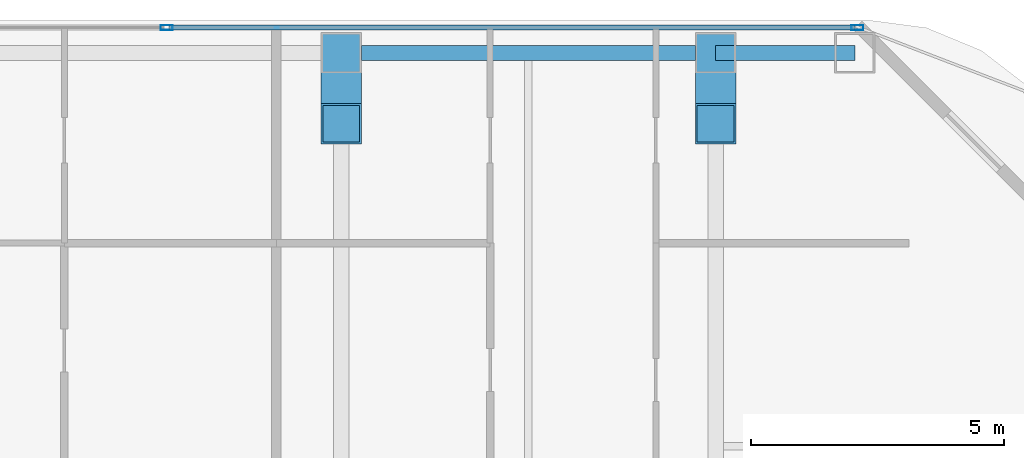
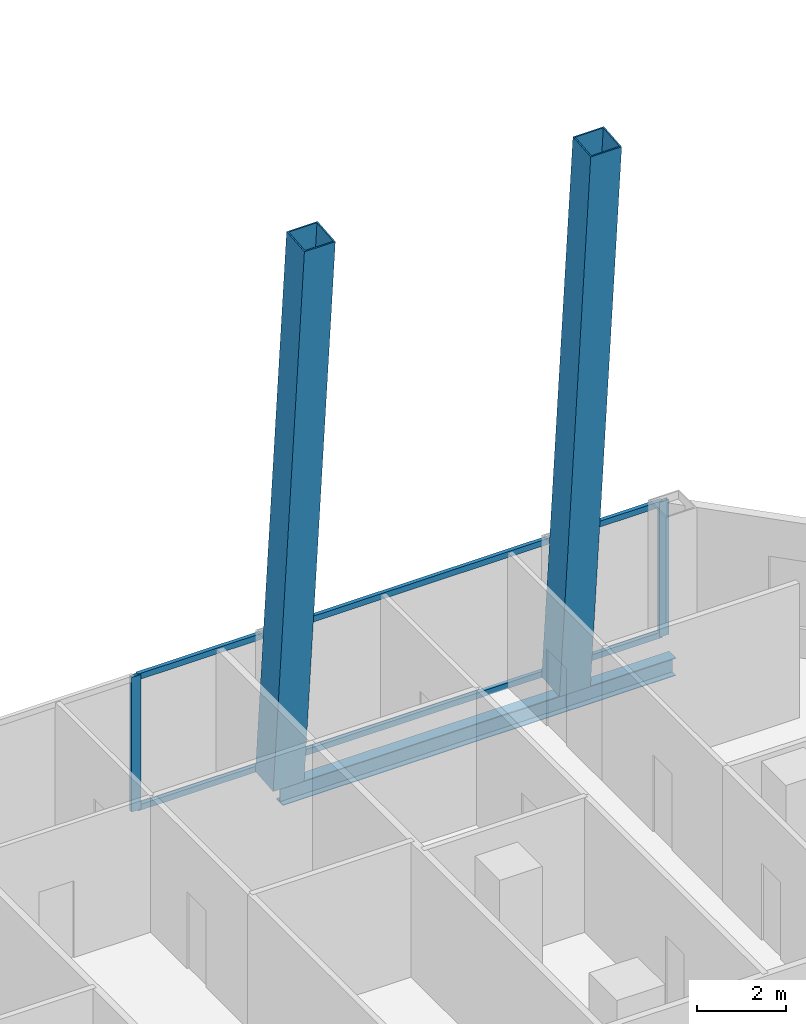
# One storey, part 21 of 32: 6 members, 2 beams, 1 element without a shape of its own.
"""IFC4 building model written with IfcOpenShell, lengths in metres."""

from ifc_helpers import new_model, si_unit, direction, frame, origin, origin_2d, place, context, subcontext, project, spatial, hollow_rectangle, i_section, extrude, material, layer, layer_set, material_profile, profile_set, type_object, element, aggregate, save


model = new_model("IFC4")

# Units and contexts
model_context = context("Model", 3, precision=1e-05, world=origin(), true_north=direction((0.0, 1.0)))
body_context = subcontext(model_context, "Body", "Model", "MODEL_VIEW")
ifc_project = project(units=[si_unit("LENGTHUNIT", "METRE"), si_unit("AREAUNIT", "SQUARE_METRE"), si_unit("VOLUMEUNIT", "CUBIC_METRE"), si_unit("PLANEANGLEUNIT", "RADIAN"), si_unit("MASSUNIT", "GRAM", prefix="KILO")], contexts=[model_context])

# Site, building, storey
site_placement = place(None, origin())
site = spatial("IfcSite", under=ifc_project, at=site_placement, CompositionType="ELEMENT")
building_placement = place(site_placement, origin())
building = spatial("IfcBuilding", under=site, at=building_placement, Name="Khorvyn Point Tower", CompositionType="ELEMENT")
storey_placement = place(building_placement, frame((0.0, 0.0, 93.0)))
storey = spatial("IfcBuildingStorey", under=building, at=storey_placement, Name="L23", CompositionType="ELEMENT", Elevation=93.0)

# Curtain wall, members
ifc_material_1 = material(Name="Anodised aluminium 6063-T6 and laminated Low-E glass", Category="aluminium")
ifc_layer = layer(ifc_material_1, 0.18994140625)
ifc_layer_set = layer_set([ifc_layer], Name="Stick-Built Finned Residential Curtain Wall CW-SYS-02")
curtain_wall_type = type_object("IfcCurtainWallType", Name="Stick-Built Finned Residential Curtain Wall CW-SYS-02", PredefinedType="NOTDEFINED", material=ifc_layer_set)
curtain_wall_placement = place(storey_placement, origin())
curtain_wall = element("IfcCurtainWall", 1, at=curtain_wall_placement, inside=storey, type_object=curtain_wall_type, Name="Curtain Wall", PredefinedType="NOTDEFINED")
ifc_material_2 = material(Name="Anodised aluminium 6063-T6", Category="aluminium")
ifc_material_profile_1 = material_profile(ifc_material_2, hollow_rectangle(XDim=0.10009765625, YDim=0.239990234375, WallThickness=0.0048828125, at=origin_2d()))
ifc_profile_set_1 = profile_set([ifc_material_profile_1], Name="Anodised aluminium 6063-T6 ALU-MUL-100x240")
member_type_1 = type_object("IfcMemberType", Name="Anodised Aluminium 6063-T6 Mullion ALU-MUL-100x240", PredefinedType="MULLION", material=ifc_profile_set_1)
member_1_placement = place(storey_placement, frame((3.949951171875, 30.85009765625, 0.0), z_axis=(0.0, 0.0, 1.0), x_axis=(0.0, 1.0, 0.0)))
member_1 = element("IfcMember", 2, at=member_1_placement, type_object=member_type_1, Name="Transom", PredefinedType="MULLION", context=body_context, shape_type="SweptSolid", body=[
    extrude(hollow_rectangle(XDim=0.10009765625, YDim=0.239990234375, WallThickness=0.0048828125, at=origin_2d()), origin(), (0.0, 0.0, 1.0), 3.679931640625),
])
member_2_placement = place(storey_placement, frame((17.60009765625, 30.85009765625, 0.0), z_axis=(0.0, 0.0, 1.0), x_axis=(0.0, 1.0, 0.0)))
member_2 = element("IfcMember", 3, at=member_2_placement, type_object=member_type_1, Name="Transom", PredefinedType="MULLION", context=body_context, shape_type="SweptSolid", body=[
    extrude(hollow_rectangle(XDim=0.10009765625, YDim=0.239990234375, WallThickness=0.0048828125, at=origin_2d()), origin(), (0.0, 0.0, 1.0), 3.679931640625),
])
ifc_material_profile_2 = material_profile(ifc_material_2, hollow_rectangle(XDim=0.10009765625, YDim=0.159912109375, WallThickness=0.00439453125, at=origin_2d()))
ifc_profile_set_2 = profile_set([ifc_material_profile_2], Name="Anodised aluminium 6063-T6 ALU-TRN-100x160")
member_type_2 = type_object("IfcMemberType", Name="Anodised Aluminium 6063-T6 Transom ALU-TRN-100x160", PredefinedType="USERDEFINED", material=ifc_profile_set_2)
member_3_placement = place(storey_placement, frame((4.0, 30.85009765625, 0.050048828125), z_axis=(1.0, 0.0, 0.0), x_axis=(0.0, 1.0, 0.0)))
member_3 = element("IfcMember", 4, at=member_3_placement, type_object=member_type_2, Name="Transom", ObjectType="TRANSOM", PredefinedType="USERDEFINED", context=body_context, shape_type="SweptSolid", body=[
    extrude(hollow_rectangle(XDim=0.10009765625, YDim=0.159912109375, WallThickness=0.00439453125, at=origin_2d()), origin(), (0.0, 0.0, 1.0), 13.550048828125),
])
member_4_placement = place(storey_placement, frame((4.0, 30.85009765625, 3.6298828125), z_axis=(1.0, 0.0, 0.0), x_axis=(0.0, 1.0, 0.0)))
member_4 = element("IfcMember", 5, at=member_4_placement, type_object=member_type_2, Name="Transom", ObjectType="TRANSOM", PredefinedType="USERDEFINED", context=body_context, shape_type="SweptSolid", body=[
    extrude(hollow_rectangle(XDim=0.10009765625, YDim=0.159912109375, WallThickness=0.00439453125, at=origin_2d()), origin(), (0.0, 0.0, 1.0), 13.550048828125),
])
aggregate(curtain_wall, [member_1, member_2, member_3, member_4])

# Beams
ifc_material_3 = material(Name="Steel S355", Category="steel")
ifc_material_profile_3 = material_profile(ifc_material_3, i_section(OverallWidth=0.300048828125, OverallDepth=0.488037109375, WebThickness=0.010986328125, FlangeThickness=0.01806640625, at=origin_2d()))
ifc_profile_set_3 = profile_set([ifc_material_profile_3], Name="Steel S355 H488x300x11x18")
beam_type = type_object("IfcBeamType", Name="Steel S355 Spandrel H488x300x11x18", PredefinedType="SPANDREL", material=ifc_profile_set_3)
beam_1_placement = place(storey_placement, frame((7.39990234375, 30.35009765625, -0.464111328125), z_axis=(1.0, 0.0, 0.0), x_axis=(0.0, 1.0, 0.0)))
element("IfcBeam", 6, at=beam_1_placement, inside=storey, type_object=beam_type, Name="Beam", PredefinedType="SPANDREL", context=body_context, shape_type="SweptSolid", body=[
    extrude(i_section(OverallWidth=0.300048828125, OverallDepth=0.488037109375, WebThickness=0.010986328125, FlangeThickness=0.01806640625, at=origin_2d()), origin(), (0.0, 0.0, 1.0), 7.400146484375),
])
beam_2_placement = place(storey_placement, frame((14.800048828125, 30.35009765625, -0.464111328125), z_axis=(1.0, 0.0, 0.0), x_axis=(0.0, 1.0, 0.0)))
element("IfcBeam", 7, at=beam_2_placement, inside=storey, type_object=beam_type, Name="Beam", PredefinedType="SPANDREL", context=body_context, shape_type="SweptSolid", body=[
    extrude(i_section(OverallWidth=0.300048828125, OverallDepth=0.488037109375, WebThickness=0.010986328125, FlangeThickness=0.01806640625, at=origin_2d()), origin(), (0.0, 0.0, 1.0), 2.75),
])

# Members
ifc_material_4 = material(Name="Steel S450", Category="steel")
ifc_material_profile_4 = material_profile(ifc_material_4, hollow_rectangle(XDim=0.800048828125, YDim=0.800048828125, WallThickness=0.035888671875, at=origin_2d()))
ifc_profile_set_4 = profile_set([ifc_material_profile_4], Name="Steel S450 BOX800x800x36")
member_type_3 = type_object("IfcMemberType", Name="Steel S450 Exoskeleton Structural Post BOX800x800x36", PredefinedType="POST", material=ifc_profile_set_4)
for number, where, z_axis, x_axis, name in (
    (8, (7.39990234375, 30.35009765625, 0.0), (0.0, -0.08939308726, 0.995996423663), (1.0, 0.0, 0.0), "L23 to L27 Exoskeleton Transfer Post 09"),
    (9, (14.800048828125, 30.35009765625, 0.0), (0.0, -0.08939308726, 0.995996423663), (1.0, 0.0, 0.0), "L23 to L27 Exoskeleton Transfer Post 10"),
):
    element("IfcMember", number, at=place(storey_placement, frame(where, z_axis=z_axis, x_axis=x_axis)), inside=storey, type_object=member_type_3, Name=name, PredefinedType="POST", context=body_context, shape_type="SweptSolid", body=[
        extrude(hollow_rectangle(XDim=0.800048828125, YDim=0.800048828125, WallThickness=0.035888671875, at=origin_2d()), origin(), (0.0, 0.0, 1.0), 15.662841796875),
    ])

save(model, "model.ifc")
